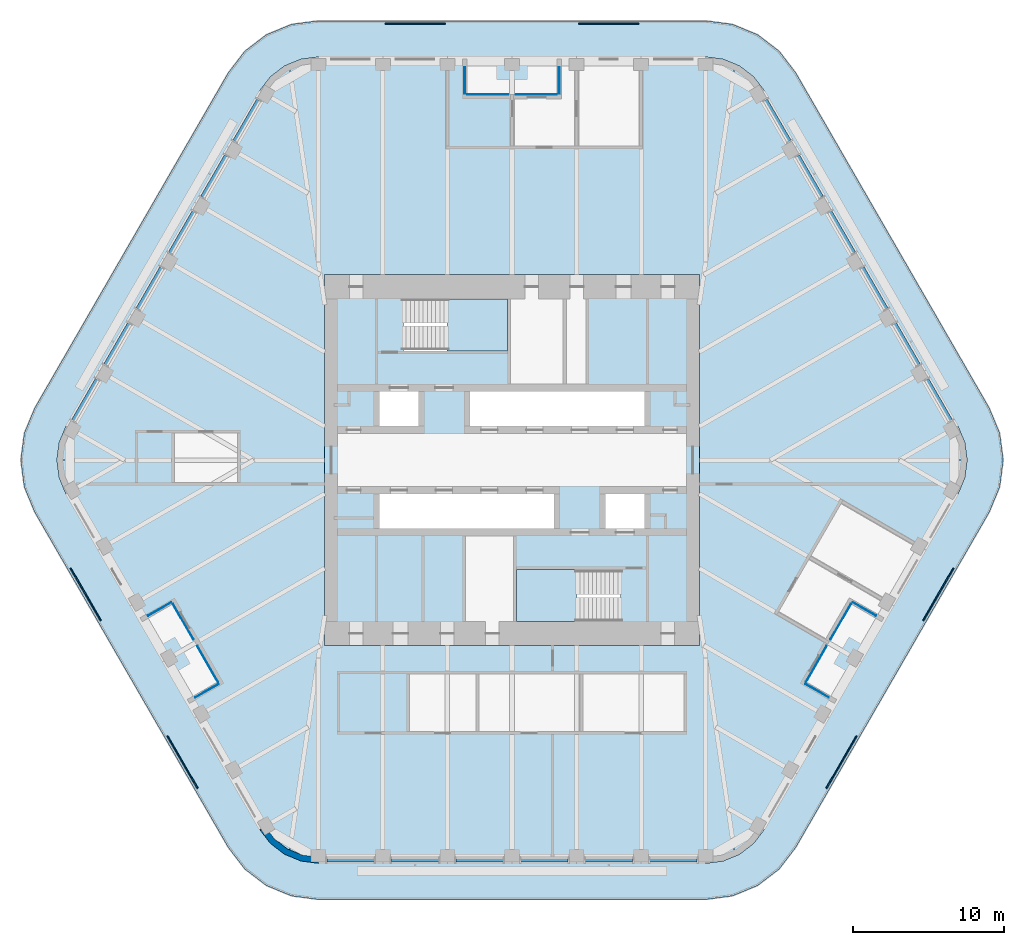
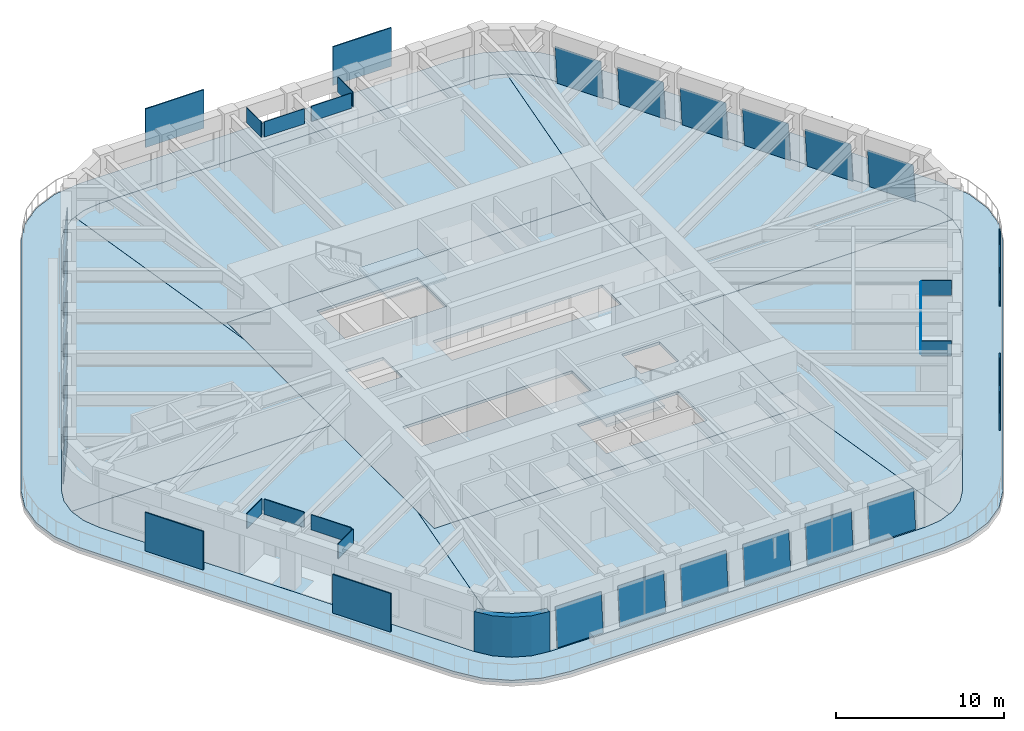
# One storey, part 12 of 19: 36 plates, 10 slabs, 1 wall, 20 elements without a shape of their own.
"""IFC4 building model written with IfcOpenShell, lengths in metres."""

from ifc_helpers import new_model, si_unit, direction, frame, origin, origin_2d, place, context, subcontext, project, spatial, polyline, rectangle, outline, extrude, material, layer, layer_set, type_object, element, aggregate, save


model = new_model("IFC4")

# Units and contexts
model_context = context("Model", 3, precision=1e-05, world=origin(), true_north=direction((0.0, 1.0)))
body_context = subcontext(model_context, "Body", "Model", "MODEL_VIEW")
ifc_project = project(units=[si_unit("LENGTHUNIT", "METRE"), si_unit("AREAUNIT", "SQUARE_METRE"), si_unit("VOLUMEUNIT", "CUBIC_METRE"), si_unit("PLANEANGLEUNIT", "RADIAN"), si_unit("MASSUNIT", "GRAM", prefix="KILO")], contexts=[model_context])

# Site, building, storey
site_placement = place(None, origin())
site = spatial("IfcSite", under=ifc_project, at=site_placement, CompositionType="ELEMENT")
building_placement = place(site_placement, origin())
building = spatial("IfcBuilding", under=site, at=building_placement, Name="Tarfa Lantern Tower", CompositionType="ELEMENT")
storey_placement = place(building_placement, frame((0.0, 0.0, 332.5)))
storey = spatial("IfcBuildingStorey", under=building, at=storey_placement, Name="L75", CompositionType="ELEMENT", Elevation=332.5)

# Slab
ifc_material_1 = material(Name="Concrete C40/50", Category="concrete")
ifc_layer_1 = layer(ifc_material_1, 0.199951171875)
ifc_layer_set_1 = layer_set([ifc_layer_1], Name="BS2 BALCONY SLAB 200")
slab_type_1 = type_object("IfcSlabType", Name="BS2 BALCONY SLAB 200", PredefinedType="FLOOR", material=ifc_layer_set_1)
slab_1_placement = place(storey_placement, frame((0.0, 0.0, -0.199951171875)))
element("IfcSlab", 1, at=slab_1_placement, inside=storey, type_object=slab_type_1, Name="Balcony L75", PredefinedType="FLOOR", context=body_context, shape_type="SweptSolid", body=[
    extrude(outline(polyline([(31.667724609375, 3.449951171875), (18.821533203125, 25.699951171875), (17.72509765625, 27.129150390625), (16.296142578125, 28.2255859375), (14.6318359375, 28.914794921875), (12.845947265625, 29.14990234375), (-12.845947265625, 29.14990234375), (-14.6318359375, 28.914794921875), (-16.296142578125, 28.2255859375), (-17.72509765625, 27.129150390625), (-18.821533203125, 25.699951171875), (-31.667724609375, 3.449951171875), (-32.35693359375, 1.785888671875), (-32.592041015625, 0.0), (-32.35693359375, -1.785888671875), (-31.667724609375, -3.449951171875), (-18.821533203125, -25.699951171875), (-17.72509765625, -27.129150390625), (-16.296142578125, -28.2255859375), (-14.6318359375, -28.914794921875), (-12.845947265625, -29.14990234375), (12.845947265625, -29.14990234375), (14.6318359375, -28.914794921875), (16.296142578125, -28.2255859375), (17.72509765625, -27.129150390625), (18.821533203125, -25.699951171875), (31.667724609375, -3.449951171875), (32.35693359375, -1.785888671875), (32.592041015625, 0.0), (32.35693359375, 1.785888671875), (31.667724609375, 3.449951171875)]), holes=[polyline([(29.589111328125, 2.25), (16.7431640625, 24.5), (16.028076171875, 25.431884765625), (15.095947265625, 26.147216796875), (14.0107421875, 26.5966796875), (12.845947265625, 26.75), (-12.845947265625, 26.75), (-14.0107421875, 26.5966796875), (-15.095947265625, 26.147216796875), (-16.028076171875, 25.431884765625), (-16.7431640625, 24.5), (-29.589111328125, 2.25), (-30.038818359375, 1.164794921875), (-30.192138671875, 0.0), (-30.038818359375, -1.164794921875), (-29.589111328125, -2.25), (-16.7431640625, -24.5), (-16.028076171875, -25.431884765625), (-15.095947265625, -26.147216796875), (-14.0107421875, -26.5966796875), (-12.845947265625, -26.75), (12.845947265625, -26.75), (14.0107421875, -26.5966796875), (15.095947265625, -26.147216796875), (16.028076171875, -25.431884765625), (16.7431640625, -24.5), (29.589111328125, -2.25), (30.038818359375, -1.164794921875), (30.192138671875, 0.0), (30.038818359375, 1.164794921875), (29.589111328125, 2.25)])]), origin(), (0.0, 0.0, 1.0), 0.199951171875),
])

# Curtain wall, plate
ifc_material_2 = material(Name="Aluminium framed curtain wall", Category="aluminium")
curtain_wall_type = type_object("IfcCurtainWallType", Name="CW4 CANTED GLAZING EXECUTIVE ZONE 2900", PredefinedType="USERDEFINED", material=ifc_material_2)
curtain_wall_1_placement = place(storey_placement, origin())
curtain_wall_1 = element("IfcCurtainWall", 2, at=curtain_wall_1_placement, inside=storey, type_object=curtain_wall_type, Name="CW4 NE L75", ObjectType="CURTAIN WALL", PredefinedType="USERDEFINED")
ifc_material_3 = material(Name="Laminated double glazing", Category="glass")
ifc_layer_2 = layer(ifc_material_3, 0.028076171875)
ifc_layer_set_2 = layer_set([ifc_layer_2], Name="CWP1 DOUBLE GLAZED PANEL")
plate_type_1 = type_object("IfcPlateType", Name="CWP1 DOUBLE GLAZED PANEL", PredefinedType="CURTAIN_PANEL", material=ifc_layer_set_2)
plate_1_placement = place(storey_placement, frame((29.22021484375, 2.689208984375, 0.0), z_axis=(0.862804843011, 0.49819050769, 0.085872119595), x_axis=(-0.500037562771, 0.866003715822, 0.0)))
plate_1 = element("IfcPlate", 3, at=plate_1_placement, type_object=plate_type_1, Name="CW4 panel 1.1", PredefinedType="CURTAIN_PANEL", context=body_context, shape_type="SweptSolid", body=[
    extrude(outline(polyline([(0.0, 0.0), (3.1521069462545803, 0.0), (3.1522365138844113, 2.845471633558051), (0.00012956762983128145, 2.845471633558051), (0.0, 0.0)])), origin(), (0.0, 0.0, -1.0), 0.028076171875),
])
aggregate(curtain_wall_1, [plate_1])

curtain_wall_2_placement = place(storey_placement, origin())
curtain_wall_2 = element("IfcCurtainWall", 4, at=curtain_wall_2_placement, inside=storey, type_object=curtain_wall_type, Name="CW4 NE L75", ObjectType="CURTAIN WALL", PredefinedType="USERDEFINED")
plate_2_placement = place(storey_placement, frame((27.0791015625, 6.397705078125, 0.0), z_axis=(0.862835078884, 0.498130796369, 0.085914703959), x_axis=(-0.499979472441, 0.866037255052, 0.0)))
plate_2 = element("IfcPlate", 5, at=plate_2_placement, type_object=plate_type_1, Name="CW4 panel 1.1", PredefinedType="CURTAIN_PANEL", context=body_context, shape_type="SweptSolid", body=[
    extrude(outline(polyline([(0.0, 0.0), (3.1519848738624487, 1.3877787807814457e-17), (3.151886616495537, 2.8454821188624972), (-9.82573669122272e-05, 2.8454821188624972), (0.0, 0.0)])), origin(), (0.0, 0.0, -1.0), 0.028076171875),
])
aggregate(curtain_wall_2, [plate_2])

curtain_wall_3_placement = place(storey_placement, origin())
curtain_wall_3 = element("IfcCurtainWall", 6, at=curtain_wall_3_placement, inside=storey, type_object=curtain_wall_type, Name="CW4 NE L75", ObjectType="CURTAIN WALL", PredefinedType="USERDEFINED")
plate_3_placement = place(storey_placement, frame((24.93798828125, 10.10595703125, 0.0), z_axis=(0.862827022781, 0.498148421989, 0.085893413189), x_axis=(-0.499996118478, 0.866027644769, -1.657084e-06)))
plate_3 = element("IfcPlate", 7, at=plate_3_placement, type_object=plate_type_1, Name="CW4 panel 1.1", PredefinedType="CURTAIN_PANEL", context=body_context, shape_type="SweptSolid", body=[
    extrude(outline(polyline([(0.0, 0.0), (3.1519848732758744, -1.3877787807814457e-17), (3.151886617082093, 2.845482118212779), (0.0001131763366805867, 2.8454716336074517), (0.0, 0.0)])), origin(), (0.0, 0.0, -1.0), 0.028076171875),
])
aggregate(curtain_wall_3, [plate_3])

curtain_wall_4_placement = place(storey_placement, origin())
curtain_wall_4 = element("IfcCurtainWall", 8, at=curtain_wall_4_placement, inside=storey, type_object=curtain_wall_type, Name="CW4 NE L75", ObjectType="CURTAIN WALL", PredefinedType="USERDEFINED")
plate_4_placement = place(storey_placement, frame((22.797119140625, 13.814208984375, 0.0), z_axis=(0.862838258141, 0.498132631813, 0.085872122435), x_axis=(-0.499979472441, 0.866037255052, 0.0)))
plate_4 = element("IfcPlate", 9, at=plate_4_placement, type_object=plate_type_1, Name="CW4 panel 1.1", PredefinedType="CURTAIN_PANEL", context=body_context, shape_type="SweptSolid", body=[
    extrude(outline(polyline([(0.0, 0.0), (3.1519848738624487, 0.0), (3.1520980513722585, 2.8454716342571658), (0.0001131775098094225, 2.8454716342571658), (0.0, 0.0)])), origin(), (0.0, 0.0, -1.0), 0.028076171875),
])
aggregate(curtain_wall_4, [plate_4])

curtain_wall_5_placement = place(storey_placement, origin())
curtain_wall_5 = element("IfcCurtainWall", 10, at=curtain_wall_5_placement, inside=storey, type_object=curtain_wall_type, Name="CW4 NE L75", ObjectType="CURTAIN WALL", PredefinedType="USERDEFINED")
plate_5_placement = place(storey_placement, frame((20.656005859375, 17.522705078125, 0.0), z_axis=(0.862835078884, 0.498130796369, 0.085914703959), x_axis=(-0.499979472441, 0.866037255052, 0.0)))
plate_5 = element("IfcPlate", 11, at=plate_5_placement, type_object=plate_type_1, Name="CW4 panel 1.1", PredefinedType="CURTAIN_PANEL", context=body_context, shape_type="SweptSolid", body=[
    extrude(outline(polyline([(0.0, 0.0), (3.1519848738624487, 1.3877787807814457e-17), (3.151886616495537, 2.8454821188624972), (-9.82573669122272e-05, 2.8454821188624972), (0.0, 0.0)])), origin(), (0.0, 0.0, -1.0), 0.028076171875),
])
aggregate(curtain_wall_5, [plate_5])

curtain_wall_6_placement = place(storey_placement, origin())
curtain_wall_6 = element("IfcCurtainWall", 12, at=curtain_wall_6_placement, inside=storey, type_object=curtain_wall_type, Name="CW4 NE L75", ObjectType="CURTAIN WALL", PredefinedType="USERDEFINED")
plate_6_placement = place(storey_placement, frame((18.51513671875, 21.23095703125, 0.0), z_axis=(0.862793605668, 0.498206298305, 0.085893412712), x_axis=(-0.500054209453, 0.865994103678, -1.657212e-06)))
plate_6 = element("IfcPlate", 13, at=plate_6_placement, type_object=plate_type_1, Name="CW4 panel 1.1", PredefinedType="CURTAIN_PANEL", context=body_context, shape_type="SweptSolid", body=[
    extrude(outline(polyline([(0.0, 0.0), (3.1521069456678914, 2.7755575615628914e-17), (3.1520250877826514, 2.8454821187316206), (0.00012956645647832136, 2.845471632908193), (0.0, 0.0)])), origin(), (0.0, 0.0, -1.0), 0.028076171875),
])
aggregate(curtain_wall_6, [plate_6])

curtain_wall_7_placement = place(storey_placement, origin())
curtain_wall_7 = element("IfcCurtainWall", 14, at=curtain_wall_7_placement, inside=storey, type_object=curtain_wall_type, Name="CW4 NW L75", ObjectType="CURTAIN WALL", PredefinedType="USERDEFINED")
plate_7_placement = place(storey_placement, frame((-16.93896484375, 23.960693359375, 0.0), z_axis=(-0.862793605668, 0.498206298305, 0.085893412712), x_axis=(-0.500054209453, -0.865994103678, 1.657212e-06)))
plate_7 = element("IfcPlate", 15, at=plate_7_placement, type_object=plate_type_1, Name="CW4 panel 1.1", PredefinedType="CURTAIN_PANEL", context=body_context, shape_type="SweptSolid", body=[
    extrude(outline(polyline([(0.0, 0.0), (3.1521069456678914, -2.7755575615628914e-17), (3.151977379211413, 2.845471632908193), (8.185788524001455e-05, 2.8454821187316206), (0.0, 0.0)])), origin(), (0.0, 0.0, -1.0), 0.028076171875),
])
aggregate(curtain_wall_7, [plate_7])

curtain_wall_8_placement = place(storey_placement, origin())
curtain_wall_8 = element("IfcCurtainWall", 16, at=curtain_wall_8_placement, inside=storey, type_object=curtain_wall_type, Name="CW4 NW L75", ObjectType="CURTAIN WALL", PredefinedType="USERDEFINED")
plate_8_placement = place(storey_placement, frame((-19.080078125, 20.25244140625, 0.0), z_axis=(-0.862835078884, 0.498130796369, 0.085914703959), x_axis=(-0.499979472441, -0.866037255052, 0.0)))
plate_8 = element("IfcPlate", 17, at=plate_8_placement, type_object=plate_type_1, Name="CW4 panel 1.1", PredefinedType="CURTAIN_PANEL", context=body_context, shape_type="SweptSolid", body=[
    extrude(outline(polyline([(0.0, 0.0), (3.1519848738624487, -1.3877787807814457e-17), (3.1520831312293613, 2.8454821188624972), (9.82573669122272e-05, 2.8454821188624972), (0.0, 0.0)])), origin(), (0.0, 0.0, -1.0), 0.028076171875),
])
aggregate(curtain_wall_8, [plate_8])

curtain_wall_9_placement = place(storey_placement, origin())
curtain_wall_9 = element("IfcCurtainWall", 18, at=curtain_wall_9_placement, inside=storey, type_object=curtain_wall_type, Name="CW4 NW L75", ObjectType="CURTAIN WALL", PredefinedType="USERDEFINED")
plate_9_placement = place(storey_placement, frame((-21.22119140625, 16.5439453125, 0.0), z_axis=(-0.862838258141, 0.498132631813, 0.085872122435), x_axis=(-0.499979472441, -0.866037255052, 0.0)))
plate_9 = element("IfcPlate", 19, at=plate_9_placement, type_object=plate_type_1, Name="CW4 panel 1.1", PredefinedType="CURTAIN_PANEL", context=body_context, shape_type="SweptSolid", body=[
    extrude(outline(polyline([(0.0, 0.0), (3.1519848738624487, 0.0), (3.15187169635264, 2.8454716342571658), (-0.0001131775098094225, 2.8454716342571658), (0.0, 0.0)])), origin(), (0.0, 0.0, -1.0), 0.028076171875),
])
aggregate(curtain_wall_9, [plate_9])

curtain_wall_10_placement = place(storey_placement, origin())
curtain_wall_10 = element("IfcCurtainWall", 20, at=curtain_wall_10_placement, inside=storey, type_object=curtain_wall_type, Name="CW4 NW L75", ObjectType="CURTAIN WALL", PredefinedType="USERDEFINED")
plate_10_placement = place(storey_placement, frame((-23.362060546875, 12.835693359375, 0.0), z_axis=(-0.862827022781, 0.498148421989, 0.085893413189), x_axis=(-0.499996118478, -0.866027644769, 1.657084e-06)))
plate_10 = element("IfcPlate", 21, at=plate_10_placement, type_object=plate_type_1, Name="CW4 panel 1.1", PredefinedType="CURTAIN_PANEL", context=body_context, shape_type="SweptSolid", body=[
    extrude(outline(polyline([(0.0, 0.0), (3.1519848732758744, 1.3877787807814457e-17), (3.151871696939194, 2.8454716336074517), (9.825619378062742e-05, 2.845482118212779), (0.0, 0.0)])), origin(), (0.0, 0.0, -1.0), 0.028076171875),
])
aggregate(curtain_wall_10, [plate_10])

curtain_wall_11_placement = place(storey_placement, origin())
curtain_wall_11 = element("IfcCurtainWall", 22, at=curtain_wall_11_placement, inside=storey, type_object=curtain_wall_type, Name="CW4 NW L75", ObjectType="CURTAIN WALL", PredefinedType="USERDEFINED")
plate_11_placement = place(storey_placement, frame((-25.503173828125, 9.12744140625, 0.0), z_axis=(-0.862835078884, 0.498130796369, 0.085914703959), x_axis=(-0.499979472441, -0.866037255052, 0.0)))
plate_11 = element("IfcPlate", 23, at=plate_11_placement, type_object=plate_type_1, Name="CW4 panel 1.1", PredefinedType="CURTAIN_PANEL", context=body_context, shape_type="SweptSolid", body=[
    extrude(outline(polyline([(0.0, 0.0), (3.1519848738624487, -1.3877787807814457e-17), (3.1520831312293613, 2.8454821188624972), (9.82573669122272e-05, 2.8454821188624972), (0.0, 0.0)])), origin(), (0.0, 0.0, -1.0), 0.028076171875),
])
aggregate(curtain_wall_11, [plate_11])

curtain_wall_12_placement = place(storey_placement, origin())
curtain_wall_12 = element("IfcCurtainWall", 24, at=curtain_wall_12_placement, inside=storey, type_object=curtain_wall_type, Name="CW4 NW L75", ObjectType="CURTAIN WALL", PredefinedType="USERDEFINED")
plate_12_placement = place(storey_placement, frame((-27.64404296875, 5.4189453125, 0.0), z_axis=(-0.862804843011, 0.49819050769, 0.085872119595), x_axis=(-0.500037562771, -0.866003715822, 0.0)))
plate_12 = element("IfcPlate", 25, at=plate_12_placement, type_object=plate_type_1, Name="CW4 panel 1.1", PredefinedType="CURTAIN_PANEL", context=body_context, shape_type="SweptSolid", body=[
    extrude(outline(polyline([(0.0, 0.0), (3.1521069462545803, 0.0), (3.151977378624749, 2.845471633558051), (-0.00012956762983128145, 2.845471633558051), (0.0, 0.0)])), origin(), (0.0, 0.0, -1.0), 0.028076171875),
])
aggregate(curtain_wall_12, [plate_12])

curtain_wall_13_placement = place(storey_placement, origin())
curtain_wall_13 = element("IfcCurtainWall", 26, at=curtain_wall_13_placement, inside=storey, type_object=curtain_wall_type, Name="CW4 S L75", ObjectType="CURTAIN WALL", PredefinedType="USERDEFINED")
plate_13_placement = place(storey_placement, frame((-12.281005859375, -26.64990234375, 0.0), z_axis=(0.0, -0.996305022141, 0.085885405371), x_axis=(1.0, 0.0, 0.0)))
plate_13 = element("IfcPlate", 27, at=plate_13_placement, type_object=plate_type_1, Name="CW4 panel 1.1", PredefinedType="CURTAIN_PANEL", context=body_context, shape_type="SweptSolid", body=[
    extrude(outline(polyline([(0.0, 0.0), (3.15185546875, 0.0), (3.15185546875, 2.8454749042682606), (0.0, 2.8454749042682606), (0.0, 0.0)])), origin(), (0.0, 0.0, -1.0), 0.028076171875),
])
aggregate(curtain_wall_13, [plate_13])

curtain_wall_14_placement = place(storey_placement, origin())
curtain_wall_14 = element("IfcCurtainWall", 28, at=curtain_wall_14_placement, inside=storey, type_object=curtain_wall_type, Name="CW4 S L75", ObjectType="CURTAIN WALL", PredefinedType="USERDEFINED")
plate_14_placement = place(storey_placement, frame((-7.9990234375, -26.64990234375, 0.0), z_axis=(0.0, -0.996305022141, 0.085885405371), x_axis=(1.0, 0.0, 0.0)))
plate_14 = element("IfcPlate", 29, at=plate_14_placement, type_object=plate_type_1, Name="CW4 panel 1.1", PredefinedType="CURTAIN_PANEL", context=body_context, shape_type="SweptSolid", body=[
    extrude(outline(polyline([(0.0, 0.0), (3.152099609375, 0.0), (3.152099609375, 2.8454749042682606), (0.0, 2.8454749042682606), (0.0, 0.0)])), origin(), (0.0, 0.0, -1.0), 0.028076171875),
])
aggregate(curtain_wall_14, [plate_14])

curtain_wall_15_placement = place(storey_placement, origin())
curtain_wall_15 = element("IfcCurtainWall", 30, at=curtain_wall_15_placement, inside=storey, type_object=curtain_wall_type, Name="CW4 S L75", ObjectType="CURTAIN WALL", PredefinedType="USERDEFINED")
plate_15_placement = place(storey_placement, frame((-3.717041015625, -26.64990234375, 0.0), z_axis=(0.0, -0.996305022141, 0.085885405371), x_axis=(1.0, 0.0, 0.0)))
plate_15 = element("IfcPlate", 31, at=plate_15_placement, type_object=plate_type_1, Name="CW4 panel 1.1", PredefinedType="CURTAIN_PANEL", context=body_context, shape_type="SweptSolid", body=[
    extrude(outline(polyline([(0.0, 0.0), (3.152099609375, 0.0), (3.152099609375, 2.8454749042682606), (0.0, 2.8454749042682606), (0.0, 0.0)])), origin(), (0.0, 0.0, -1.0), 0.028076171875),
])
aggregate(curtain_wall_15, [plate_15])

curtain_wall_16_placement = place(storey_placement, origin())
curtain_wall_16 = element("IfcCurtainWall", 32, at=curtain_wall_16_placement, inside=storey, type_object=curtain_wall_type, Name="CW4 S L75", ObjectType="CURTAIN WALL", PredefinedType="USERDEFINED")
plate_16_placement = place(storey_placement, frame((0.56494140625, -26.64990234375, 0.0), z_axis=(0.0, -0.996305022141, 0.085885405371), x_axis=(1.0, 0.0, 0.0)))
plate_16 = element("IfcPlate", 33, at=plate_16_placement, type_object=plate_type_1, Name="CW4 panel 1.1", PredefinedType="CURTAIN_PANEL", context=body_context, shape_type="SweptSolid", body=[
    extrude(outline(polyline([(0.0, 0.0), (3.152099609375, 0.0), (3.152099609375, 2.8454749042682606), (0.0, 2.8454749042682606), (0.0, 0.0)])), origin(), (0.0, 0.0, -1.0), 0.028076171875),
])
aggregate(curtain_wall_16, [plate_16])

curtain_wall_17_placement = place(storey_placement, origin())
curtain_wall_17 = element("IfcCurtainWall", 34, at=curtain_wall_17_placement, inside=storey, type_object=curtain_wall_type, Name="CW4 S L75", ObjectType="CURTAIN WALL", PredefinedType="USERDEFINED")
plate_17_placement = place(storey_placement, frame((4.846923828125, -26.64990234375, 0.0), z_axis=(0.0, -0.996305022141, 0.085885405371), x_axis=(1.0, 0.0, 0.0)))
plate_17 = element("IfcPlate", 35, at=plate_17_placement, type_object=plate_type_1, Name="CW4 panel 1.1", PredefinedType="CURTAIN_PANEL", context=body_context, shape_type="SweptSolid", body=[
    extrude(outline(polyline([(0.0, 0.0), (3.152099609375, 0.0), (3.152099609375, 2.8454749042682606), (0.0, 2.8454749042682606), (0.0, 0.0)])), origin(), (0.0, 0.0, -1.0), 0.028076171875),
])
aggregate(curtain_wall_17, [plate_17])

curtain_wall_18_placement = place(storey_placement, origin())
curtain_wall_18 = element("IfcCurtainWall", 36, at=curtain_wall_18_placement, inside=storey, type_object=curtain_wall_type, Name="CW4 S L75", ObjectType="CURTAIN WALL", PredefinedType="USERDEFINED")
plate_18_placement = place(storey_placement, frame((9.129150390625, -26.64990234375, 0.0), z_axis=(0.0, -0.996305022141, 0.085885405371), x_axis=(1.0, 0.0, 0.0)))
plate_18 = element("IfcPlate", 37, at=plate_18_placement, type_object=plate_type_1, Name="CW4 panel 1.1", PredefinedType="CURTAIN_PANEL", context=body_context, shape_type="SweptSolid", body=[
    extrude(outline(polyline([(0.0, 0.0), (3.15185546875, 0.0), (3.15185546875, 2.8454749042682606), (0.0, 2.8454749042682606), (0.0, 0.0)])), origin(), (0.0, 0.0, -1.0), 0.028076171875),
])
aggregate(curtain_wall_18, [plate_18])

# Slabs
ifc_layer_3 = layer(ifc_material_1, 0.199951171875)
ifc_layer_set_3 = layer_set([ifc_layer_3], Name="FS1 FLOOR SLAB 200")
slab_type_2 = type_object("IfcSlabType", Name="FS1 FLOOR SLAB 200", PredefinedType="FLOOR", material=ifc_layer_set_3)
slab_2_placement = place(storey_placement, frame((0.0, 0.0, -0.199951171875)))
element("IfcSlab", 38, at=slab_2_placement, inside=storey, type_object=slab_type_2, Name="Floor slab L75", PredefinedType="FLOOR", context=body_context, shape_type="SweptSolid", body=[
    extrude(outline(polyline([(-12.425048828125, -12.300048828125), (12.425048828125, -12.300048828125), (12.425048828125, 12.300048828125), (-12.425048828125, 12.300048828125), (-12.425048828125, -12.300048828125)]), holes=[polyline([(-8.800048828125, 2.25), (-6.199951171875, 2.25), (-6.199951171875, 4.550048828125), (-8.800048828125, 4.550048828125), (-8.800048828125, 2.25)]), polyline([(-2.800048828125, 2.25), (8.800048828125, 2.25), (8.800048828125, 4.550048828125), (-2.800048828125, 4.550048828125), (-2.800048828125, 2.25)]), polyline([(8.800048828125, -2.25), (6.199951171875, -2.25), (6.199951171875, -4.550048828125), (8.800048828125, -4.550048828125), (8.800048828125, -2.25)]), polyline([(2.800048828125, -2.25), (-8.800048828125, -2.25), (-8.800048828125, -4.550048828125), (2.800048828125, -4.550048828125), (2.800048828125, -2.25)]), polyline([(-7.199951171875, 7.25), (-0.300048828125, 7.25), (-0.300048828125, 10.699951171875), (-7.199951171875, 10.699951171875), (-7.199951171875, 7.25)]), polyline([(7.199951171875, -7.25), (0.300048828125, -7.25), (0.300048828125, -10.699951171875), (7.199951171875, -10.699951171875), (7.199951171875, -7.25)])]), origin(), (0.0, 0.0, 1.0), 0.199951171875),
])
slab_3_placement = place(storey_placement, frame((0.0, 0.0, -0.199951171875)))
element("IfcSlab", 39, at=slab_3_placement, inside=storey, type_object=slab_type_2, Name="Floor slab L75 NE bay", PredefinedType="FLOOR", context=body_context, shape_type="SweptSolid", body=[
    extrude(outline(polyline([(29.58740234375, 2.2490234375), (16.741455078125, 24.498779296875), (16.026611328125, 25.4306640625), (15.094970703125, 26.145263671875), (14.802001953125, 26.2666015625), (12.427001953125, 10.2998046875), (12.427001953125, 0.001953125), (30.189697265625, 0.001953125), (30.036865234375, 1.1640625), (29.58740234375, 2.2490234375)])), origin(), (0.0, 0.0, 1.0), 0.199951171875),
])
slab_4_placement = place(storey_placement, frame((0.0, 0.0, -0.199951171875)))
element("IfcSlab", 40, at=slab_4_placement, inside=storey, type_object=slab_type_2, Name="Floor slab L75 N bay", PredefinedType="FLOOR", context=body_context, shape_type="SweptSolid", body=[
    extrude(outline(polyline([(-12.427001953125, 10.3271484375), (-12.427001953125, 12.302001953125), (12.427001953125, 12.302001953125), (12.427001953125, 10.3271484375), (14.79833984375, 26.268310546875), (14.01025390625, 26.5947265625), (12.845947265625, 26.748046875), (-12.845947265625, 26.748046875), (-14.01025390625, 26.5947265625), (-14.79833984375, 26.268310546875), (-12.427001953125, 10.3271484375)])), origin(), (0.0, 0.0, 1.0), 0.199951171875),
])
slab_5_placement = place(storey_placement, frame((0.0, 0.0, -0.199951171875)))
element("IfcSlab", 41, at=slab_5_placement, inside=storey, type_object=slab_type_2, Name="Floor slab L75 NW bay", PredefinedType="FLOOR", context=body_context, shape_type="SweptSolid", body=[
    extrude(outline(polyline([(-12.427001953125, 0.001953125), (-12.427001953125, 10.2998046875), (-14.802001953125, 26.2666015625), (-15.094970703125, 26.145263671875), (-16.026611328125, 25.4306640625), (-16.741455078125, 24.498779296875), (-29.58740234375, 2.2490234375), (-30.036865234375, 1.1640625), (-30.189697265625, 0.001953125), (-12.427001953125, 0.001953125)])), origin(), (0.0, 0.0, 1.0), 0.199951171875),
])
slab_6_placement = place(storey_placement, frame((0.0, 0.0, -0.199951171875)))
element("IfcSlab", 42, at=slab_6_placement, inside=storey, type_object=slab_type_2, Name="Floor slab L75 SW bay", PredefinedType="FLOOR", context=body_context, shape_type="SweptSolid", body=[
    extrude(outline(polyline([(-12.427001953125, -10.2998046875), (-12.427001953125, -0.001953125), (-30.189697265625, -0.001953125), (-30.036865234375, -1.1640625), (-29.58740234375, -2.2490234375), (-16.741455078125, -24.498779296875), (-16.026611328125, -25.4306640625), (-15.094970703125, -26.145263671875), (-14.802001953125, -26.2666015625), (-12.427001953125, -10.2998046875)])), origin(), (0.0, 0.0, 1.0), 0.199951171875),
])
slab_7_placement = place(storey_placement, frame((0.0, 0.0, -0.199951171875)))
element("IfcSlab", 43, at=slab_7_placement, inside=storey, type_object=slab_type_2, Name="Floor slab L75 S bay", PredefinedType="FLOOR", context=body_context, shape_type="SweptSolid", body=[
    extrude(outline(polyline([(12.427001953125, -10.3271484375), (12.427001953125, -12.302001953125), (-12.427001953125, -12.302001953125), (-12.427001953125, -10.3271484375), (-14.79833984375, -26.268310546875), (-14.01025390625, -26.5947265625), (-12.845947265625, -26.748046875), (12.845947265625, -26.748046875), (14.01025390625, -26.5947265625), (14.79833984375, -26.268310546875), (12.427001953125, -10.3271484375)])), origin(), (0.0, 0.0, 1.0), 0.199951171875),
])
slab_8_placement = place(storey_placement, frame((0.0, 0.0, -0.199951171875)))
element("IfcSlab", 44, at=slab_8_placement, inside=storey, type_object=slab_type_2, Name="Floor slab L75 SE bay", PredefinedType="FLOOR", context=body_context, shape_type="SweptSolid", body=[
    extrude(outline(polyline([(12.427001953125, -0.001953125), (12.427001953125, -10.2998046875), (14.802001953125, -26.2666015625), (15.094970703125, -26.145263671875), (16.026611328125, -25.4306640625), (16.741455078125, -24.498779296875), (29.58740234375, -2.2490234375), (30.036865234375, -1.1640625), (30.189697265625, -0.001953125), (12.427001953125, -0.001953125)])), origin(), (0.0, 0.0, 1.0), 0.199951171875),
])

# Plates
ifc_material_4 = material(Name="Aluminium fascia panel", Category="aluminium")
ifc_layer_4 = layer(ifc_material_4, 0.050048828125)
ifc_layer_set_4 = layer_set([ifc_layer_4], Name="LF1 LOGGIA HEAD FASCIA 50")
plate_type_2 = type_object("IfcPlateType", Name="LF1 LOGGIA HEAD FASCIA 50", PredefinedType="USERDEFINED", material=ifc_layer_set_4)
for number, where, z_axis, x_axis, name in (
    (45, (1.615966796875, 24.25, 2.89990234375), (0.0, 0.0, 1.0), (-1.0, 0.0, 0.0), "Terrace head fascia N"),
    (46, (-1.615966796875, 24.25, 2.89990234375), (0.0, 0.0, 1.0), (-1.0, 0.0, 0.0), "Terrace head fascia N"),
):
    element("IfcPlate", number, at=place(storey_placement, frame(where, z_axis=z_axis, x_axis=x_axis)), inside=storey, type_object=plate_type_2, Name=name, ObjectType="FASCIA", PredefinedType="USERDEFINED", context=body_context, shape_type="SweptSolid", body=[
        extrude(rectangle(XDim=2.73193359375, YDim=0.050048828125, at=origin_2d()), origin(), (0.0, 0.0, 1.0), 1.10009765625),
    ])
for number, where, z_axis, x_axis, name in (
    (47, (3.132080078125, 25.18505859375, 2.89990234375), (0.0, 0.0, 1.0), (0.0, -1.0, 0.0), "Terrace head fascia N"),
    (48, (-3.132080078125, 25.18505859375, 2.89990234375), (0.0, 0.0, 1.0), (0.0, -1.0, 0.0), "Terrace head fascia N"),
):
    element("IfcPlate", number, at=place(storey_placement, frame(where, z_axis=z_axis, x_axis=x_axis)), inside=storey, type_object=plate_type_2, Name=name, ObjectType="FASCIA", PredefinedType="USERDEFINED", context=body_context, shape_type="SweptSolid", body=[
        extrude(rectangle(XDim=1.77001953125, YDim=0.050048828125, at=origin_2d()), origin(), (0.0, 0.0, 1.0), 1.10009765625),
    ])
for number, where, z_axis, x_axis, name in (
    (49, (-21.80908203125, -10.7255859375, 2.89990234375), (0.0, 0.0, 1.0), (0.5, -0.866025403784, 0.0), "Terrace head fascia SW"),
    (50, (-20.193115234375, -13.5244140625, 2.89990234375), (0.0, 0.0, 1.0), (0.5, -0.866025403784, 0.0), "Terrace head fascia SW"),
):
    element("IfcPlate", number, at=place(storey_placement, frame(where, z_axis=z_axis, x_axis=x_axis)), inside=storey, type_object=plate_type_2, Name=name, ObjectType="FASCIA", PredefinedType="USERDEFINED", context=body_context, shape_type="SweptSolid", body=[
        extrude(rectangle(XDim=2.73193359375, YDim=0.050048828125, at=origin_2d()), origin(), (0.0, 0.0, 1.0), 1.10009765625),
    ])
for number, where, z_axis, x_axis, name in (
    (51, (-23.376953125, -9.880126953125, 2.89990234375), (0.0, 0.0, 1.0), (0.866025403784, 0.5, 0.0), "Terrace head fascia SW"),
    (52, (-20.244873046875, -15.304931640625, 2.89990234375), (0.0, 0.0, 1.0), (0.866025403784, 0.5, 0.0), "Terrace head fascia SW"),
):
    element("IfcPlate", number, at=place(storey_placement, frame(where, z_axis=z_axis, x_axis=x_axis)), inside=storey, type_object=plate_type_2, Name=name, ObjectType="FASCIA", PredefinedType="USERDEFINED", context=body_context, shape_type="SweptSolid", body=[
        extrude(rectangle(XDim=1.77001953125, YDim=0.050048828125, at=origin_2d()), origin(), (0.0, 0.0, 1.0), 1.10009765625),
    ])
for number, where, z_axis, x_axis, name in (
    (53, (20.193115234375, -13.5244140625, 2.89990234375), (0.0, 0.0, 1.0), (0.5, 0.866025403784, 0.0), "Terrace head fascia SE"),
    (54, (21.80908203125, -10.7255859375, 2.89990234375), (0.0, 0.0, 1.0), (0.5, 0.866025403784, 0.0), "Terrace head fascia SE"),
):
    element("IfcPlate", number, at=place(storey_placement, frame(where, z_axis=z_axis, x_axis=x_axis)), inside=storey, type_object=plate_type_2, Name=name, ObjectType="FASCIA", PredefinedType="USERDEFINED", context=body_context, shape_type="SweptSolid", body=[
        extrude(rectangle(XDim=2.73193359375, YDim=0.050048828125, at=origin_2d()), origin(), (0.0, 0.0, 1.0), 1.10009765625),
    ])
for number, where, z_axis, x_axis, name in (
    (55, (20.244873046875, -15.304931640625, 2.89990234375), (0.0, 0.0, 1.0), (-0.866025403784, 0.5, 0.0), "Terrace head fascia SE"),
    (56, (23.376953125, -9.880126953125, 2.89990234375), (0.0, 0.0, 1.0), (-0.866025403784, 0.5, 0.0), "Terrace head fascia SE"),
):
    element("IfcPlate", number, at=place(storey_placement, frame(where, z_axis=z_axis, x_axis=x_axis)), inside=storey, type_object=plate_type_2, Name=name, ObjectType="FASCIA", PredefinedType="USERDEFINED", context=body_context, shape_type="SweptSolid", body=[
        extrude(rectangle(XDim=1.77001953125, YDim=0.050048828125, at=origin_2d()), origin(), (0.0, 0.0, 1.0), 1.10009765625),
    ])
ifc_material_5 = material(Name="Perforated limestone screen", Category="masonry")
ifc_layer_5 = layer(ifc_material_5, 0.080078125)
ifc_layer_set_5 = layer_set([ifc_layer_5], Name="SC1 STONE SCREEN 80")
plate_type_3 = type_object("IfcPlateType", Name="SC1 STONE SCREEN 80", PredefinedType="USERDEFINED", material=ifc_layer_set_5)
for number, where, z_axis, x_axis, name in (
    (57, (6.423095703125, 28.949951171875, 1.2001953125), (0.0, 0.0, 1.0), (-1.0, 0.0, 0.0), "Stone screen N 1"),
    (58, (-6.423095703125, 28.949951171875, 1.2001953125), (0.0, 0.0, 1.0), (-1.0, 0.0, 0.0), "Stone screen N 2"),
    (59, (-28.282958984375, -8.91259765625, 1.2001953125), (0.0, 0.0, 1.0), (0.5, -0.866025403784, 0.0), "Stone screen SW 1"),
    (60, (-21.85986328125, -20.03759765625, 1.2001953125), (0.0, 0.0, 1.0), (0.5, -0.866025403784, 0.0), "Stone screen SW 2"),
    (61, (21.85986328125, -20.03759765625, 1.2001953125), (0.0, 0.0, 1.0), (0.5, 0.866025403784, 0.0), "Stone screen SE 1"),
    (62, (28.282958984375, -8.91259765625, 1.2001953125), (0.0, 0.0, 1.0), (0.5, 0.866025403784, 0.0), "Stone screen SE 2"),
):
    element("IfcPlate", number, at=place(storey_placement, frame(where, z_axis=z_axis, x_axis=x_axis)), inside=storey, type_object=plate_type_3, Name=name, ObjectType="SCREEN", PredefinedType="USERDEFINED", context=body_context, shape_type="SweptSolid", body=[
        extrude(rectangle(XDim=4.0, YDim=0.080078125, at=origin_2d()), origin(), (0.0, 0.0, 1.0), 2.800048828125),
    ])

# Stair, slab
stair_type = type_object("IfcStairType", Name="ST-T10 HALF-TURN STAIR 4200 RISE", PredefinedType="HALF_TURN_STAIR", material=ifc_material_1)
stair_1_placement = place(storey_placement, origin())
stair_1 = element("IfcStair", 63, at=stair_1_placement, inside=storey, type_object=stair_type, Name="Stair ST1", PredefinedType="HALF_TURN_STAIR")
ifc_layer_6 = layer(ifc_material_1, 0.199951171875)
ifc_layer_set_6 = layer_set([ifc_layer_6], Name="SL1 STAIR LANDING 200")
slab_type_3 = type_object("IfcSlabType", Name="SL1 STAIR LANDING 200", PredefinedType="LANDING", material=ifc_layer_set_6)
slab_9_placement = place(storey_placement, frame((0.0, 0.0, 1.89990234375)))
slab_9 = element("IfcSlab", 64, at=slab_9_placement, type_object=slab_type_3, Name="ST1 landing 1", PredefinedType="LANDING", context=body_context, shape_type="SweptSolid", body=[
    extrude(outline(polyline([(-4.320068359375, 7.25), (-0.300048828125, 7.25), (-0.300048828125, 10.699951171875), (-4.320068359375, 10.699951171875), (-4.320068359375, 7.25)])), origin(), (0.0, 0.0, 1.0), 0.2001953125),
])
aggregate(stair_1, [slab_9])

stair_2_placement = place(storey_placement, origin())
stair_2 = element("IfcStair", 65, at=stair_2_placement, inside=storey, type_object=stair_type, Name="Stair ST2", PredefinedType="HALF_TURN_STAIR")
slab_10_placement = place(storey_placement, frame((0.0, 0.0, 1.89990234375)))
slab_10 = element("IfcSlab", 66, at=slab_10_placement, type_object=slab_type_3, Name="ST2 landing 1", PredefinedType="LANDING", context=body_context, shape_type="SweptSolid", body=[
    extrude(outline(polyline([(4.320068359375, -7.25), (0.300048828125, -7.25), (0.300048828125, -10.699951171875), (4.320068359375, -10.699951171875), (4.320068359375, -7.25)])), origin(), (0.0, 0.0, 1.0), 0.2001953125),
])
aggregate(stair_2, [slab_10])

# Wall
ifc_material_6 = material(Name="Limestone cladding on blockwork", Category="masonry")
ifc_layer_7 = layer(ifc_material_6, 0.39990234375)
ifc_layer_set_7 = layer_set([ifc_layer_7], Name="EW2 CURVED STONE CORNER 400")
wall_type = type_object("IfcWallType", Name="EW2 CURVED STONE CORNER 400", PredefinedType="SOLIDWALL", material=ifc_layer_set_7)
wall_placement = place(storey_placement, origin())
element("IfcWall", 67, at=wall_placement, inside=storey, type_object=wall_type, Name="Stone corner SW-S", PredefinedType="SOLIDWALL", context=body_context, shape_type="SweptSolid", body=[
    extrude(outline(polyline([(-16.7431640625, -24.5), (-16.028076171875, -25.431884765625), (-15.095947265625, -26.147216796875), (-14.0107421875, -26.5966796875), (-12.845947265625, -26.75), (-12.845947265625, -26.35009765625), (-13.9072265625, -26.210205078125), (-14.89599609375, -25.80078125), (-15.7451171875, -25.149169921875), (-16.396728515625, -24.300048828125), (-16.7431640625, -24.5)])), origin(), (0.0, 0.0, 1.0), 2.89990234375),
])

save(model, "model.ifc")
